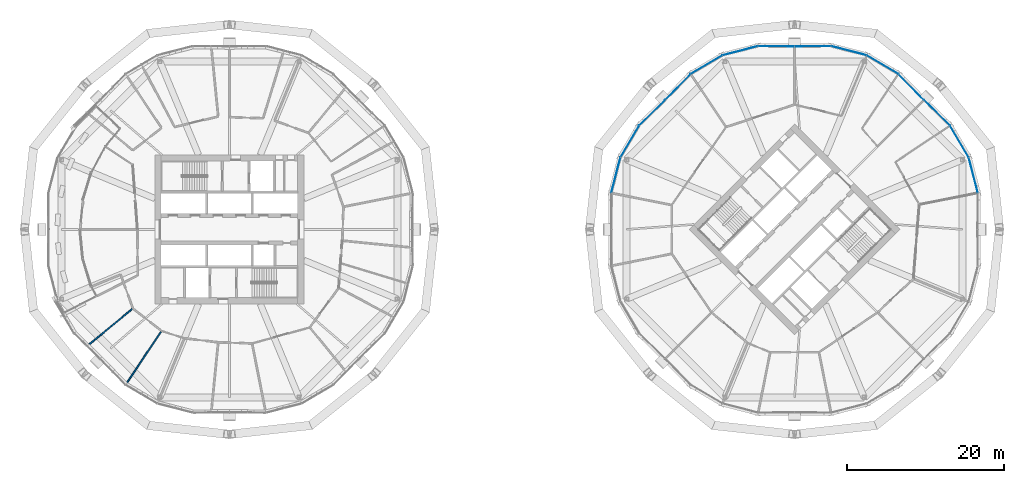
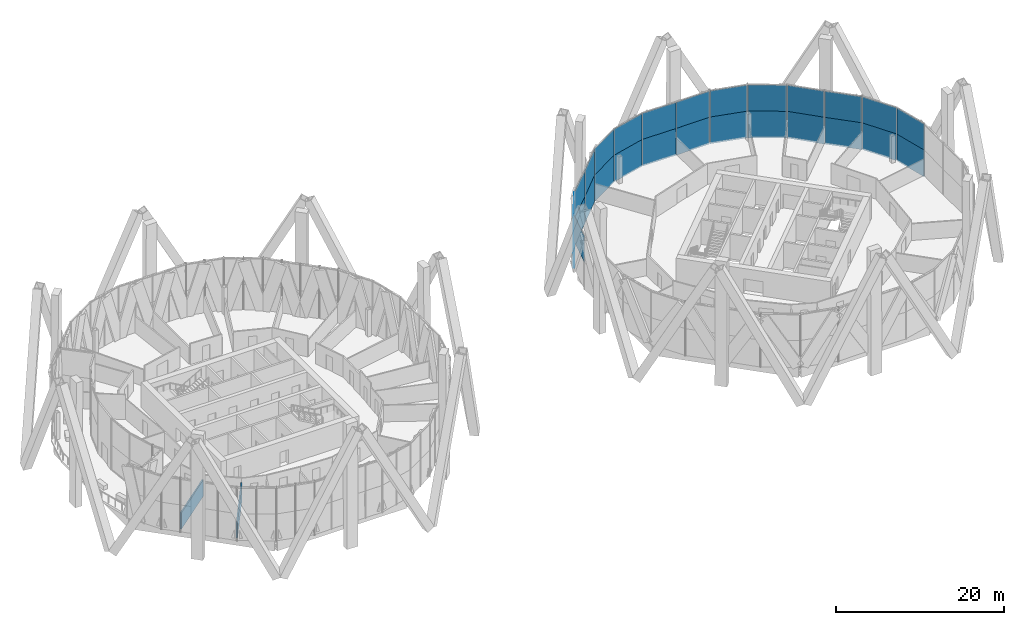
# One storey, part 20 of 30: 27 plates, 2 walls, 4 elements without a shape of their own.
"""IFC4 building model written with IfcOpenShell, lengths in metres."""

from ifc_helpers import new_model, si_unit, direction, frame, frame_2d, origin, origin_2d, place, context, subcontext, project, spatial, rectangle, extrude, material, layer, layer_set, type_object, element, aggregate, save


model = new_model("IFC4")

# Units and contexts
model_context = context("Model", 3, precision=1e-05, world=origin(), true_north=direction((0.0, 1.0)))
body_context = subcontext(model_context, "Body", "Model", "MODEL_VIEW")
ifc_project = project(units=[si_unit("LENGTHUNIT", "METRE"), si_unit("AREAUNIT", "SQUARE_METRE"), si_unit("VOLUMEUNIT", "CUBIC_METRE"), si_unit("PLANEANGLEUNIT", "RADIAN"), si_unit("MASSUNIT", "GRAM", prefix="KILO")], contexts=[model_context])

# Site, building, storey
site_placement = place(None, origin())
site = spatial("IfcSite", under=ifc_project, at=site_placement, CompositionType="ELEMENT")
building_placement = place(site_placement, origin())
building = spatial("IfcBuilding", under=site, at=building_placement, Name="Ogive Gate Towers", CompositionType="ELEMENT")
storey_placement = place(building_placement, frame((0.0, 0.0, 99.60009765625)))
storey = spatial("IfcBuildingStorey", under=building, at=storey_placement, Name="L23", CompositionType="ELEMENT", Elevation=99.60009765625)

# Curtain wall, plates
ifc_material_1 = material(Name="Pale metal aluminium", Category="aluminium")
curtain_wall_type = type_object("IfcCurtainWallType", Name="Tower unitised wall, low zone", PredefinedType="NOTDEFINED", material=ifc_material_1)
curtain_wall_1_placement = place(storey_placement, origin())
curtain_wall_1 = element("IfcCurtainWall", 1, at=curtain_wall_1_placement, inside=storey, type_object=curtain_wall_type, Name="CW1 T2 ECW01", PredefinedType="NOTDEFINED")
ifc_material_2 = material(Name="Clear glass", Category="glass")
ifc_layer_1 = layer(ifc_material_2, 0.028076171875)
ifc_layer_set_1 = layer_set([ifc_layer_1], Name="Tower unitised wall, low zone glass panel")
plate_type = type_object("IfcPlateType", Name="Tower unitised wall, low zone glass panel", PredefinedType="CURTAIN_PANEL", material=ifc_layer_set_1)
plate_1_placement = place(storey_placement, frame((58.768798828125, 6.9130859375, -0.300048828125), z_axis=(0.0, 0.0, 1.0), x_axis=(-0.249247709738, 0.968439765391, 0.0)))
plate_1 = element("IfcPlate", 2, at=plate_1_placement, type_object=plate_type, Name="CW1 glass panel", PredefinedType="CURTAIN_PANEL", context=body_context, shape_type="SweptSolid", body=[
    extrude(rectangle(XDim=4.63720703125, YDim=0.028076171875, at=origin_2d()), origin(), (0.0, 0.0, 1.0), 3.89990234375),
])
plate_2_placement = place(storey_placement, frame((58.768798828125, 6.9130859375, 3.60009765625), z_axis=(0.0, 0.0, 1.0), x_axis=(-0.249247709738, 0.968439765391, 0.0)))
plate_2 = element("IfcPlate", 3, at=plate_2_placement, type_object=plate_type, Name="CW1 glass panel", PredefinedType="CURTAIN_PANEL", context=body_context, shape_type="SweptSolid", body=[
    extrude(rectangle(XDim=4.63720703125, YDim=0.028076171875, at=origin_2d()), origin(), (0.0, 0.0, 1.0), 3.803955078125),
])
plate_3_placement = place(storey_placement, frame((56.98828125, 11.211669921875, -0.300048828125), z_axis=(0.0, 0.0, 1.0), x_axis=(-0.508545579527, 0.86103507103, 0.0)))
plate_3 = element("IfcPlate", 4, at=plate_3_placement, type_object=plate_type, Name="CW1 glass panel", PredefinedType="CURTAIN_PANEL", context=body_context, shape_type="SweptSolid", body=[
    extrude(rectangle(XDim=4.63720703125, YDim=0.028076171875, at=origin_2d()), origin(), (0.0, 0.0, 1.0), 3.89990234375),
])
plate_4_placement = place(storey_placement, frame((56.98828125, 11.211669921875, 3.60009765625), z_axis=(0.0, 0.0, 1.0), x_axis=(-0.508545579527, 0.86103507103, 0.0)))
plate_4 = element("IfcPlate", 5, at=plate_4_placement, type_object=plate_type, Name="CW1 glass panel", PredefinedType="CURTAIN_PANEL", context=body_context, shape_type="SweptSolid", body=[
    extrude(rectangle(XDim=4.63720703125, YDim=0.028076171875, at=origin_2d()), origin(), (0.0, 0.0, 1.0), 3.803955078125),
])
plate_5_placement = place(storey_placement, frame((54.13671875, 14.860107421875, -0.300048828125), z_axis=(0.0, 0.0, 1.0), x_axis=(-0.713849613797, 0.700299028189, 0.0)))
plate_5 = element("IfcPlate", 6, at=plate_5_placement, type_object=plate_type, Name="CW1 glass panel", PredefinedType="CURTAIN_PANEL", context=body_context, shape_type="SweptSolid", body=[
    extrude(rectangle(XDim=4.580078125, YDim=0.028076171875, at=origin_2d()), origin(), (0.0, 0.0, 1.0), 3.89990234375),
])
plate_6_placement = place(storey_placement, frame((54.13671875, 14.860107421875, 3.60009765625), z_axis=(0.0, 0.0, 1.0), x_axis=(-0.713849613797, 0.700299028189, 0.0)))
plate_6 = element("IfcPlate", 7, at=plate_6_placement, type_object=plate_type, Name="CW1 glass panel", PredefinedType="CURTAIN_PANEL", context=body_context, shape_type="SweptSolid", body=[
    extrude(rectangle(XDim=4.580078125, YDim=0.028076171875, at=origin_2d()), origin(), (0.0, 0.0, 1.0), 3.803955078125),
])
aggregate(curtain_wall_1, [plate_1, plate_2, plate_3, plate_4, plate_5, plate_6])

curtain_wall_2_placement = place(storey_placement, origin())
curtain_wall_2 = element("IfcCurtainWall", 8, at=curtain_wall_2_placement, inside=storey, type_object=curtain_wall_type, Name="CW1 T2 ECW02", PredefinedType="NOTDEFINED")
plate_7_placement = place(storey_placement, frame((50.860107421875, 18.13671875, -0.300048828125), z_axis=(0.0, 0.0, 1.0), x_axis=(-0.700299028189, 0.713849613797, 0.0)))
plate_7 = element("IfcPlate", 9, at=plate_7_placement, type_object=plate_type, Name="CW1 glass panel", PredefinedType="CURTAIN_PANEL", context=body_context, shape_type="SweptSolid", body=[
    extrude(rectangle(XDim=4.580078125, YDim=0.028076171875, at=origin_2d()), origin(), (0.0, 0.0, 1.0), 3.89990234375),
])
plate_8_placement = place(storey_placement, frame((50.860107421875, 18.13671875, 3.60009765625), z_axis=(0.0, 0.0, 1.0), x_axis=(-0.700299028189, 0.713849613797, 0.0)))
plate_8 = element("IfcPlate", 10, at=plate_8_placement, type_object=plate_type, Name="CW1 glass panel", PredefinedType="CURTAIN_PANEL", context=body_context, shape_type="SweptSolid", body=[
    extrude(rectangle(XDim=4.580078125, YDim=0.028076171875, at=origin_2d()), origin(), (0.0, 0.0, 1.0), 3.803955078125),
])
plate_9_placement = place(storey_placement, frame((47.211669921875, 20.98828125, -0.300048828125), z_axis=(0.0, 0.0, 1.0), x_axis=(-0.86103507103, 0.508545579527, 0.0)))
plate_9 = element("IfcPlate", 11, at=plate_9_placement, type_object=plate_type, Name="CW1 glass panel", PredefinedType="CURTAIN_PANEL", context=body_context, shape_type="SweptSolid", body=[
    extrude(rectangle(XDim=4.63720703125, YDim=0.028076171875, at=origin_2d()), origin(), (0.0, 0.0, 1.0), 3.89990234375),
])
plate_10_placement = place(storey_placement, frame((47.211669921875, 20.98828125, 3.60009765625), z_axis=(0.0, 0.0, 1.0), x_axis=(-0.86103507103, 0.508545579527, 0.0)))
plate_10 = element("IfcPlate", 12, at=plate_10_placement, type_object=plate_type, Name="CW1 glass panel", PredefinedType="CURTAIN_PANEL", context=body_context, shape_type="SweptSolid", body=[
    extrude(rectangle(XDim=4.63720703125, YDim=0.028076171875, at=origin_2d()), origin(), (0.0, 0.0, 1.0), 3.803955078125),
])
plate_11_placement = place(storey_placement, frame((42.9130859375, 22.768798828125, -0.300048828125), z_axis=(0.0, 0.0, 1.0), x_axis=(-0.968439765391, 0.249247709738, 0.0)))
plate_11 = element("IfcPlate", 13, at=plate_11_placement, type_object=plate_type, Name="CW1 glass panel", PredefinedType="CURTAIN_PANEL", context=body_context, shape_type="SweptSolid", body=[
    extrude(rectangle(XDim=4.63720703125, YDim=0.028076171875, at=origin_2d()), origin(), (0.0, 0.0, 1.0), 3.89990234375),
])
plate_12_placement = place(storey_placement, frame((42.9130859375, 22.768798828125, 3.60009765625), z_axis=(0.0, 0.0, 1.0), x_axis=(-0.968439765391, 0.249247709738, 0.0)))
plate_12 = element("IfcPlate", 14, at=plate_12_placement, type_object=plate_type, Name="CW1 glass panel", PredefinedType="CURTAIN_PANEL", context=body_context, shape_type="SweptSolid", body=[
    extrude(rectangle(XDim=4.63720703125, YDim=0.028076171875, at=origin_2d()), origin(), (0.0, 0.0, 1.0), 3.803955078125),
])
plate_13_placement = place(storey_placement, frame((38.31689453125, 23.332275390625, -0.300048828125), z_axis=(0.0, 0.0, 1.0), x_axis=(-0.999953926969, -0.009599163462, 0.0)))
plate_13 = element("IfcPlate", 15, at=plate_13_placement, type_object=plate_type, Name="CW1 glass panel", PredefinedType="CURTAIN_PANEL", context=body_context, shape_type="SweptSolid", body=[
    extrude(rectangle(XDim=4.580078125, YDim=0.028076171875, at=origin_2d()), origin(), (0.0, 0.0, 1.0), 3.89990234375),
])
plate_14_placement = place(storey_placement, frame((38.31689453125, 23.332275390625, 3.60009765625), z_axis=(0.0, 0.0, 1.0), x_axis=(-0.999953926969, -0.009599163462, 0.0)))
plate_14 = element("IfcPlate", 16, at=plate_14_placement, type_object=plate_type, Name="CW1 glass panel", PredefinedType="CURTAIN_PANEL", context=body_context, shape_type="SweptSolid", body=[
    extrude(rectangle(XDim=4.580078125, YDim=0.028076171875, at=origin_2d()), origin(), (0.0, 0.0, 1.0), 3.803955078125),
])
aggregate(curtain_wall_2, [plate_7, plate_8, plate_9, plate_10, plate_11, plate_12, plate_13, plate_14])

curtain_wall_3_placement = place(storey_placement, origin())
curtain_wall_3 = element("IfcCurtainWall", 17, at=curtain_wall_3_placement, inside=storey, type_object=curtain_wall_type, Name="CW1 T2 ECW03", PredefinedType="NOTDEFINED")
plate_15_placement = place(storey_placement, frame((33.68310546875, 23.332275390625, -0.300048828125), z_axis=(0.0, 0.0, 1.0), x_axis=(-0.999953926969, 0.009599163462, 0.0)))
plate_15 = element("IfcPlate", 18, at=plate_15_placement, type_object=plate_type, Name="CW1 glass panel", PredefinedType="CURTAIN_PANEL", context=body_context, shape_type="SweptSolid", body=[
    extrude(rectangle(XDim=4.580078125, YDim=0.028076171875, at=origin_2d()), origin(), (0.0, 0.0, 1.0), 3.89990234375),
])
plate_16_placement = place(storey_placement, frame((33.68310546875, 23.332275390625, 3.60009765625), z_axis=(0.0, 0.0, 1.0), x_axis=(-0.999953926969, 0.009599163462, 0.0)))
plate_16 = element("IfcPlate", 19, at=plate_16_placement, type_object=plate_type, Name="CW1 glass panel", PredefinedType="CURTAIN_PANEL", context=body_context, shape_type="SweptSolid", body=[
    extrude(rectangle(XDim=4.580078125, YDim=0.028076171875, at=origin_2d()), origin(), (0.0, 0.0, 1.0), 3.803955078125),
])
plate_17_placement = place(storey_placement, frame((29.0869140625, 22.768798828125, -0.300048828125), z_axis=(0.0, 0.0, 1.0), x_axis=(-0.968439765391, -0.249247709738, 0.0)))
plate_17 = element("IfcPlate", 20, at=plate_17_placement, type_object=plate_type, Name="CW1 glass panel", PredefinedType="CURTAIN_PANEL", context=body_context, shape_type="SweptSolid", body=[
    extrude(rectangle(XDim=4.63720703125, YDim=0.028076171875, at=origin_2d()), origin(), (0.0, 0.0, 1.0), 3.89990234375),
])
plate_18_placement = place(storey_placement, frame((29.0869140625, 22.768798828125, 3.60009765625), z_axis=(0.0, 0.0, 1.0), x_axis=(-0.968439765391, -0.249247709738, 0.0)))
plate_18 = element("IfcPlate", 21, at=plate_18_placement, type_object=plate_type, Name="CW1 glass panel", PredefinedType="CURTAIN_PANEL", context=body_context, shape_type="SweptSolid", body=[
    extrude(rectangle(XDim=4.63720703125, YDim=0.028076171875, at=origin_2d()), origin(), (0.0, 0.0, 1.0), 3.803955078125),
])
plate_19_placement = place(storey_placement, frame((24.788330078125, 20.98828125, -0.300048828125), z_axis=(0.0, 0.0, 1.0), x_axis=(-0.86103507103, -0.508545579527, 0.0)))
plate_19 = element("IfcPlate", 22, at=plate_19_placement, type_object=plate_type, Name="CW1 glass panel", PredefinedType="CURTAIN_PANEL", context=body_context, shape_type="SweptSolid", body=[
    extrude(rectangle(XDim=4.63720703125, YDim=0.028076171875, at=origin_2d()), origin(), (0.0, 0.0, 1.0), 3.89990234375),
])
plate_20_placement = place(storey_placement, frame((24.788330078125, 20.98828125, 3.60009765625), z_axis=(0.0, 0.0, 1.0), x_axis=(-0.86103507103, -0.508545579527, 0.0)))
plate_20 = element("IfcPlate", 23, at=plate_20_placement, type_object=plate_type, Name="CW1 glass panel", PredefinedType="CURTAIN_PANEL", context=body_context, shape_type="SweptSolid", body=[
    extrude(rectangle(XDim=4.63720703125, YDim=0.028076171875, at=origin_2d()), origin(), (0.0, 0.0, 1.0), 3.803955078125),
])
plate_21_placement = place(storey_placement, frame((21.139892578125, 18.13671875, -0.300048828125), z_axis=(0.0, 0.0, 1.0), x_axis=(-0.700299028189, -0.713849613797, 0.0)))
plate_21 = element("IfcPlate", 24, at=plate_21_placement, type_object=plate_type, Name="CW1 glass panel", PredefinedType="CURTAIN_PANEL", context=body_context, shape_type="SweptSolid", body=[
    extrude(rectangle(XDim=4.580078125, YDim=0.028076171875, at=origin_2d()), origin(), (0.0, 0.0, 1.0), 3.89990234375),
])
plate_22_placement = place(storey_placement, frame((21.139892578125, 18.13671875, 3.60009765625), z_axis=(0.0, 0.0, 1.0), x_axis=(-0.700299028189, -0.713849613797, 0.0)))
plate_22 = element("IfcPlate", 25, at=plate_22_placement, type_object=plate_type, Name="CW1 glass panel", PredefinedType="CURTAIN_PANEL", context=body_context, shape_type="SweptSolid", body=[
    extrude(rectangle(XDim=4.580078125, YDim=0.028076171875, at=origin_2d()), origin(), (0.0, 0.0, 1.0), 3.803955078125),
])
aggregate(curtain_wall_3, [plate_15, plate_16, plate_17, plate_18, plate_19, plate_20, plate_21, plate_22])

curtain_wall_4_placement = place(storey_placement, origin())
curtain_wall_4 = element("IfcCurtainWall", 26, at=curtain_wall_4_placement, inside=storey, type_object=curtain_wall_type, Name="CW1 T2 ECW04", PredefinedType="NOTDEFINED")
plate_23_placement = place(storey_placement, frame((17.86328125, 14.860107421875, -0.300048828125), z_axis=(0.0, 0.0, 1.0), x_axis=(-0.713849613797, -0.700299028189, 0.0)))
plate_23 = element("IfcPlate", 27, at=plate_23_placement, type_object=plate_type, Name="CW1 glass panel", PredefinedType="CURTAIN_PANEL", context=body_context, shape_type="SweptSolid", body=[
    extrude(rectangle(XDim=4.580078125, YDim=0.028076171875, at=origin_2d()), origin(), (0.0, 0.0, 1.0), 3.89990234375),
])
plate_24_placement = place(storey_placement, frame((17.86328125, 14.860107421875, 3.60009765625), z_axis=(0.0, 0.0, 1.0), x_axis=(-0.713849613797, -0.700299028189, 0.0)))
plate_24 = element("IfcPlate", 28, at=plate_24_placement, type_object=plate_type, Name="CW1 glass panel", PredefinedType="CURTAIN_PANEL", context=body_context, shape_type="SweptSolid", body=[
    extrude(rectangle(XDim=4.580078125, YDim=0.028076171875, at=origin_2d()), origin(), (0.0, 0.0, 1.0), 3.803955078125),
])
plate_25_placement = place(storey_placement, frame((15.01171875, 11.211669921875, -0.300048828125), z_axis=(0.0, 0.0, 1.0), x_axis=(-0.508545579527, -0.86103507103, 0.0)))
plate_25 = element("IfcPlate", 29, at=plate_25_placement, type_object=plate_type, Name="CW1 glass panel", PredefinedType="CURTAIN_PANEL", context=body_context, shape_type="SweptSolid", body=[
    extrude(rectangle(XDim=4.63720703125, YDim=0.028076171875, at=origin_2d()), origin(), (0.0, 0.0, 1.0), 3.89990234375),
])
plate_26_placement = place(storey_placement, frame((15.01171875, 11.211669921875, 3.60009765625), z_axis=(0.0, 0.0, 1.0), x_axis=(-0.508545579527, -0.86103507103, 0.0)))
plate_26 = element("IfcPlate", 30, at=plate_26_placement, type_object=plate_type, Name="CW1 glass panel", PredefinedType="CURTAIN_PANEL", context=body_context, shape_type="SweptSolid", body=[
    extrude(rectangle(XDim=4.63720703125, YDim=0.028076171875, at=origin_2d()), origin(), (0.0, 0.0, 1.0), 3.803955078125),
])
plate_27_placement = place(storey_placement, frame((13.231201171875, 6.9130859375, 3.60009765625), z_axis=(0.0, 0.0, 1.0), x_axis=(-0.249247709738, -0.968439765391, 0.0)))
plate_27 = element("IfcPlate", 31, at=plate_27_placement, type_object=plate_type, Name="CW1 glass panel", PredefinedType="CURTAIN_PANEL", context=body_context, shape_type="SweptSolid", body=[
    extrude(rectangle(XDim=4.63720703125, YDim=0.028076171875, at=origin_2d()), origin(), (0.0, 0.0, 1.0), 3.803955078125),
])
aggregate(curtain_wall_4, [plate_23, plate_24, plate_25, plate_26, plate_27])

# Walls
ifc_material_3 = material(Name="Gypsum board acoustic partition")
ifc_layer_2 = layer(ifc_material_3, 0.175048828125)
ifc_layer_set_2 = layer_set([ifc_layer_2], Name="Acoustic partition 175")
wall_type = type_object("IfcWallType", Name="Acoustic partition 175", PredefinedType="PARTITIONING", material=ifc_layer_set_2)
wall_1_placement = place(storey_placement, frame((-54.06005859375, -14.794677734375, 0.0), z_axis=(0.0, 0.0, 1.0), x_axis=(0.773581852643, 0.633696392022, 0.0)))
element("IfcWall", 32, at=wall_1_placement, inside=storey, type_object=wall_type, Name="Partition T1-L23-016", PredefinedType="PARTITIONING", context=body_context, shape_type="SweptSolid", body=[
    extrude(rectangle(XDim=7.361572265625, YDim=0.175048828125, at=frame_2d((3.6806640625, 0.0))), origin(), (0.0, 0.0, 1.0), 2.39990234375),
])
wall_2_placement = place(storey_placement, frame((-49.1787109375, -19.709716796875, 0.0), z_axis=(0.0, 0.0, 1.0), x_axis=(0.555845830277, 0.831285398021, 0.0)))
element("IfcWall", 33, at=wall_2_placement, inside=storey, type_object=wall_type, Name="Partition T1-L23-017", PredefinedType="PARTITIONING", context=body_context, shape_type="SweptSolid", body=[
    extrude(rectangle(XDim=8.0615234375, YDim=0.175048828125, at=frame_2d((4.03076171875, 0.0))), origin(), (0.0, 0.0, 1.0), 2.39990234375),
])

save(model, "model.ifc")
